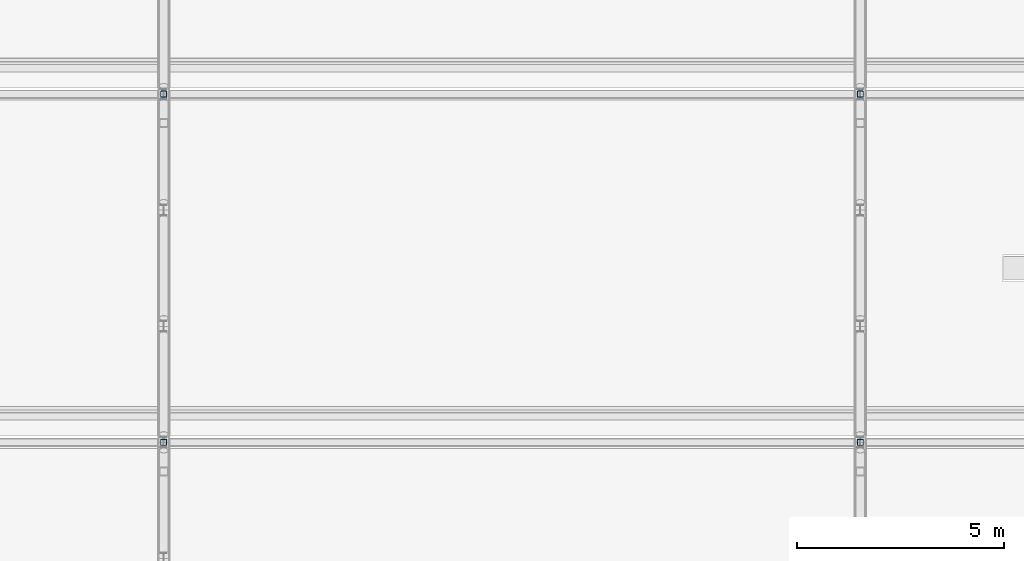
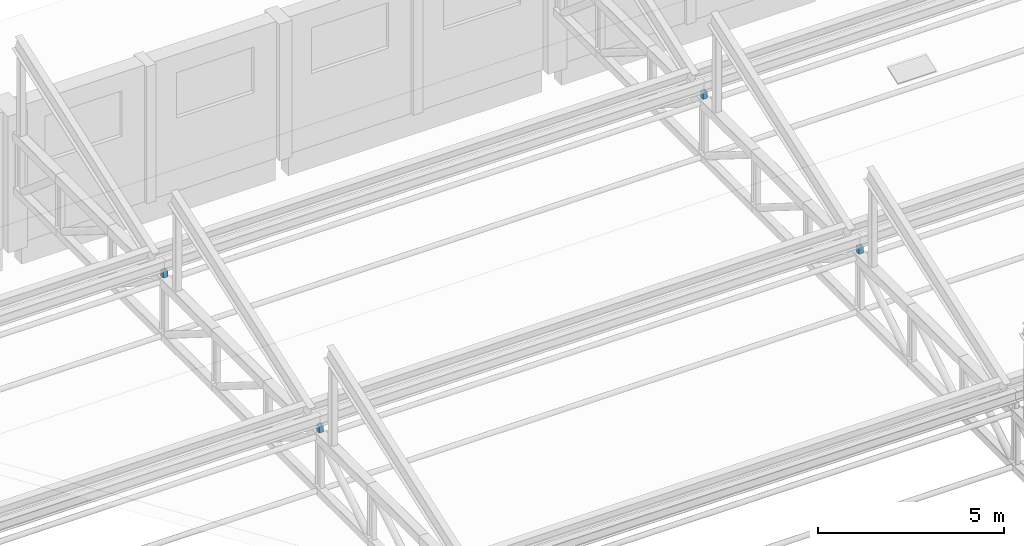
# One storey, part 60 of 101: 4 members.
"""IFC4 building model written with IfcOpenShell, lengths in metres."""

import ifcopenshell
import ifcopenshell.guid

model = None  # the IFC model being written
_history = None  # IfcOwnerHistory: only IFC2X3 demands one
_inside = {}  # id of a spatial element -> (the spatial element, [elements in it])
_under = {}  # id of a project, library or spatial element -> (it, [spatial elements below it])
_declared = {}  # id of a project -> (the project, [libraries it declares])
_typed = {}  # id of a type object -> (the type object, [elements of that type])
_made_of = {}  # id of a material, layer set ... -> (it, [elements and type objects made of it])


def new_model(schema):
    """Start an empty IFC model of exactly this schema.

    Asked for "IFC4X3", IfcOpenShell would pick the latest addendum, in which some entities
    have other attributes; the version numbers below select the first issue.
    IFC2X3 requires an IfcOwnerHistory on every rooted entity: one is made here for all.
    """
    global model, _history
    if schema == "IFC4X3":
        model = ifcopenshell.file(schema_version=(4, 3, 0, 0))
    else:
        model = ifcopenshell.file(schema=schema)
    _inside.clear()
    _under.clear()
    _declared.clear()
    _typed.clear()
    _made_of.clear()
    _history = None
    if model.schema == "IFC2X3":
        org = make("IfcOrganization", Name="unknown")
        user = make(
            "IfcPersonAndOrganization",
            ThePerson=make("IfcPerson", FamilyName="unknown"),
            TheOrganization=org,
        )
        app = make(
            "IfcApplication",
            ApplicationDeveloper=org,
            Version="unknown",
            ApplicationFullName="unknown",
            ApplicationIdentifier="unknown",
        )
        _history = make(
            "IfcOwnerHistory",
            OwningUser=user,
            OwningApplication=app,
            ChangeAction="ADDED",
            CreationDate=0,
        )
    return model


def make(cls, **values):
    """One entity of the class cls with the attributes given. An attribute that is None is left unset."""
    return model.create_entity(
        cls, **{name: value for name, value in values.items() if value is not None}
    )


def rooted(cls, **values):
    """An entity with a GlobalId (a new one), such as an element, a storey or a relation."""
    return make(cls, GlobalId=ifcopenshell.guid.new(), OwnerHistory=_history, **values)


def si_unit(unit_type, name, prefix=None):
    """IfcSIUnit, for example si_unit("LENGTHUNIT", "METRE", prefix="MILLI")."""
    return make("IfcSIUnit", UnitType=unit_type, Prefix=prefix, Name=name)


def assignment(units):
    """IfcUnitAssignment: the units of a project."""
    return None if units is None else make("IfcUnitAssignment", Units=units)


def point(xyz):
    """IfcCartesianPoint."""
    return None if xyz is None else make("IfcCartesianPoint", Coordinates=xyz)


def direction(xyz):
    """IfcDirection."""
    return None if xyz is None else make("IfcDirection", DirectionRatios=xyz)


def frame(location, z_axis=None, x_axis=None):
    """IfcAxis2Placement3D, a coordinate frame: its origin and axes. An axis left out is left unset."""
    return make(
        "IfcAxis2Placement3D",
        Location=point(location),
        Axis=direction(z_axis),
        RefDirection=direction(x_axis),
    )


def frame_2d(location, x_axis=None):
    """IfcAxis2Placement2D, a coordinate frame in the plane: its origin and x axis."""
    return make(
        "IfcAxis2Placement2D", Location=point(location), RefDirection=direction(x_axis)
    )


def origin():
    """The frame at (0, 0, 0) with its axes left unset."""
    return frame((0.0, 0.0, 0.0))


def origin_2d():
    """The frame at (0, 0) in the plane with its x axis left unset."""
    return frame_2d((0.0, 0.0))


def place(relative_to, where):
    """IfcLocalPlacement: puts the frame where relative to a parent placement (None: the world)."""
    return make(
        "IfcLocalPlacement", PlacementRelTo=relative_to, RelativePlacement=where
    )


def context(
    kind, dimensions, precision=None, world=None, true_north=None, identifier=None
):
    """IfcGeometricRepresentationContext, for example the 3D "Model" context."""
    return make(
        "IfcGeometricRepresentationContext",
        ContextIdentifier=identifier,
        ContextType=kind,
        CoordinateSpaceDimension=dimensions,
        Precision=precision,
        WorldCoordinateSystem=world,
        TrueNorth=true_north,
    )


def subcontext(parent, identifier, kind, view, scale=None):
    """IfcGeometricRepresentationSubContext, for example "Body" below "Model"."""
    return make(
        "IfcGeometricRepresentationSubContext",
        ContextIdentifier=identifier,
        ContextType=kind,
        ParentContext=parent,
        TargetScale=scale,
        TargetView=view,
    )


def project(units=None, contexts=None):
    """IfcProject with its units and contexts."""
    return rooted(
        "IfcProject",
        Name="project",
        RepresentationContexts=contexts,
        UnitsInContext=assignment(units),
    )


def spatial(cls, under=None, at=None, **own):
    """A site, building, storey or space (cls), placed at a placement, below another one or the project."""
    s = rooted(cls, ObjectPlacement=at, **own)
    if under is not None:
        _under.setdefault(under.id(), (under, []))[1].append(s)
    return s


def profile(cls, at=None, kind="AREA", **sizes):
    """A parametric profile (cls). Its sizes go by their IFC names, for example OverallWidth=200.0."""
    return make(cls, ProfileType=kind, Position=at, **sizes)


def hollow_rectangle(**sizes):
    """IfcRectangleHollowProfileDef."""
    return profile("IfcRectangleHollowProfileDef", **sizes)


def extrude(swept, where, along, depth):
    """IfcExtrudedAreaSolid: the profile swept, set in the frame where, extruded along a direction by depth."""
    return make(
        "IfcExtrudedAreaSolid",
        SweptArea=swept,
        Position=where,
        ExtrudedDirection=direction(along),
        Depth=depth,
    )


def shape(context_of_items, identifier, shape_type, items):
    """IfcShapeRepresentation: the items that make up one representation, for example the "Body"."""
    return make(
        "IfcShapeRepresentation",
        ContextOfItems=context_of_items,
        RepresentationIdentifier=identifier,
        RepresentationType=shape_type,
        Items=items,
    )


def material(Name=None, Category=None):
    """IfcMaterial."""
    return make("IfcMaterial", Name=Name, Category=Category)


def material_profile(
    of_material, cross_section, Name=None, Category=None, Priority=None
):
    """IfcMaterialProfile: a cross section and its material."""
    return make(
        "IfcMaterialProfile",
        Name=Name,
        Material=of_material,
        Profile=cross_section,
        Priority=Priority,
        Category=Category,
    )


def profile_set(profiles, Name=None, composite=None):
    """IfcMaterialProfileSet."""
    return make(
        "IfcMaterialProfileSet",
        Name=Name,
        MaterialProfiles=profiles,
        CompositeProfile=composite,
    )


def made_of(thing, what):
    """Note that an element or type object is made of a material, layer set ...; save() writes the relation."""
    if what is not None:
        _made_of.setdefault(what.id(), (what, []))[1].append(thing)
    return thing


def type_object(cls, material=None, **own):
    """A type object (cls), such as IfcWallType, which elements share."""
    return made_of(rooted(cls, **own), material)


def element(
    cls,
    number,
    at=None,
    inside=None,
    cuts=None,
    type_object=None,
    material=None,
    context=None,
    identifier="Body",
    shape_type=None,
    held_by="IfcProductDefinitionShape",
    body=None,
    shapes=None,
    **own,
):
    """One element of the class cls, such as IfcWall. Its Tag is "e" and its number.

    at: its placement. inside: the storey or other place that contains it. cuts: it is an
    opening in that element (IfcRelVoidsElement). A single representation is given by context,
    identifier, shape_type and body (its items); several are given by shapes. held_by: the class
    of the entity that holds the representations. save() writes the other relations.
    """
    e = rooted(cls, Tag="e%d" % number, ObjectPlacement=at, **own)
    if body is not None:
        shapes = [shape(context, identifier, shape_type, body)]
    if shapes is not None:
        e.Representation = make(held_by, Representations=shapes)
    if inside is not None:
        _inside.setdefault(inside.id(), (inside, []))[1].append(e)
    if cuts is not None:
        rooted(
            "IfcRelVoidsElement", RelatingBuildingElement=cuts, RelatedOpeningElement=e
        )
    if type_object is not None:
        _typed.setdefault(type_object.id(), (type_object, []))[1].append(e)
    return made_of(e, material)


def aggregate(whole, parts):
    """IfcRelAggregates: a whole, such as a stair, and the parts it consists of."""
    return rooted("IfcRelAggregates", RelatingObject=whole, RelatedObjects=parts)


def save(model, path):
    """Write the relations noted so far, then the file.

    IfcRelAggregates (storeys below a building ...), IfcRelContainedInSpatialStructure (elements
    in a storey), IfcRelDefinesByType, IfcRelAssociatesMaterial and IfcRelDeclares: one each for
    every whole, place, type object, material and project.
    """
    for whole, parts in _under.values():
        aggregate(whole, parts)
    for where, things in _inside.values():
        rooted(
            "IfcRelContainedInSpatialStructure",
            RelatedElements=things,
            RelatingStructure=where,
        )
    for kind, things in _typed.values():
        rooted("IfcRelDefinesByType", RelatedObjects=things, RelatingType=kind)
    for what, things in _made_of.values():
        rooted("IfcRelAssociatesMaterial", RelatedObjects=things, RelatingMaterial=what)
    for by, libraries in _declared.values():
        rooted("IfcRelDeclares", RelatingContext=by, RelatedDefinitions=libraries)
    model.write(path)


model = new_model("IFC4")

# Units and contexts
model_context = context("Model", 3, precision=1e-05, world=origin(), true_north=direction((0.0, 1.0)))
body_context = subcontext(model_context, "Body", "Model", "MODEL_VIEW")
ifc_project = project(units=[si_unit("LENGTHUNIT", "METRE"), si_unit("AREAUNIT", "SQUARE_METRE"), si_unit("VOLUMEUNIT", "CUBIC_METRE"), si_unit("PLANEANGLEUNIT", "RADIAN"), si_unit("MASSUNIT", "GRAM", prefix="KILO")], contexts=[model_context])

# Site, building, storey
site_placement = place(None, origin())
site = spatial("IfcSite", under=ifc_project, at=site_placement, CompositionType="ELEMENT")
building_placement = place(site_placement, origin())
building = spatial("IfcBuilding", under=site, at=building_placement, Name="Fescue Hill Polytechnic", CompositionType="ELEMENT")
storey_placement = place(building_placement, frame((0.0, 0.0, 9.0)))
storey = spatial("IfcBuildingStorey", under=building, at=storey_placement, Name="L02", CompositionType="ELEMENT", Elevation=9.0)

# Members
ifc_material = material(Name="Steel 350W (350 MPa)", Category="steel")
ifc_material_profile = material_profile(ifc_material, hollow_rectangle(XDim=0.15234375, YDim=0.15234375, WallThickness=0.009521484375, InnerFilletRadius=0.009521484375, OuterFilletRadius=0.01904296875, at=origin_2d()), Name="Valley bearing post HSS 152x152x9.5")
ifc_profile_set = profile_set([ifc_material_profile], Name="Steel 350W (350 MPa)")
member_type = type_object("IfcMemberType", Name="Valley bearing post HSS 152x152x9.5", PredefinedType="POST", material=ifc_profile_set)
for number, where, z_axis, x_axis, name in (
    (1, (67.199951171875, 33.60009765625, 3.93603515625), (0.0, 0.0, 1.0), (1.0, 0.0, 0.0), "Valley 3 bearing post on TR5"),
    (2, (67.199951171875, 42.0, 3.93603515625), (0.0, 0.0, 1.0), (1.0, 0.0, 0.0), "Valley 4 bearing post on TR5"),
    (3, (84.0, 33.60009765625, 3.93603515625), (0.0, 0.0, 1.0), (1.0, 0.0, 0.0), "Valley 3 bearing post on TR6"),
    (4, (84.0, 42.0, 3.93603515625), (0.0, 0.0, 1.0), (1.0, 0.0, 0.0), "Valley 4 bearing post on TR6"),
):
    element("IfcMember", number, at=place(storey_placement, frame(where, z_axis=z_axis, x_axis=x_axis)), inside=storey, type_object=member_type, Name=name, PredefinedType="POST", context=body_context, shape_type="SweptSolid", body=[
        extrude(hollow_rectangle(XDim=0.15234375, YDim=0.15234375, WallThickness=0.009521484375, InnerFilletRadius=0.009521484375, OuterFilletRadius=0.01904296875, at=origin_2d()), origin(), (0.0, 0.0, 1.0), 0.2138671875),
    ])

save(model, "model.ifc")
